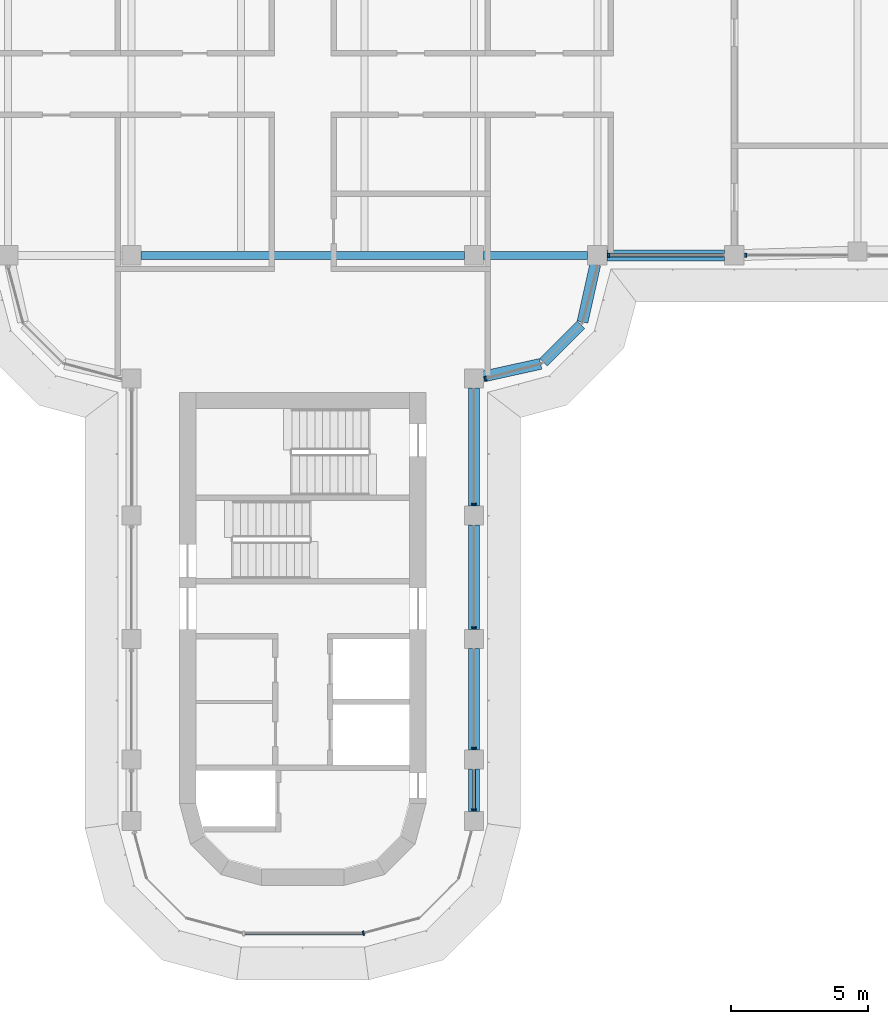
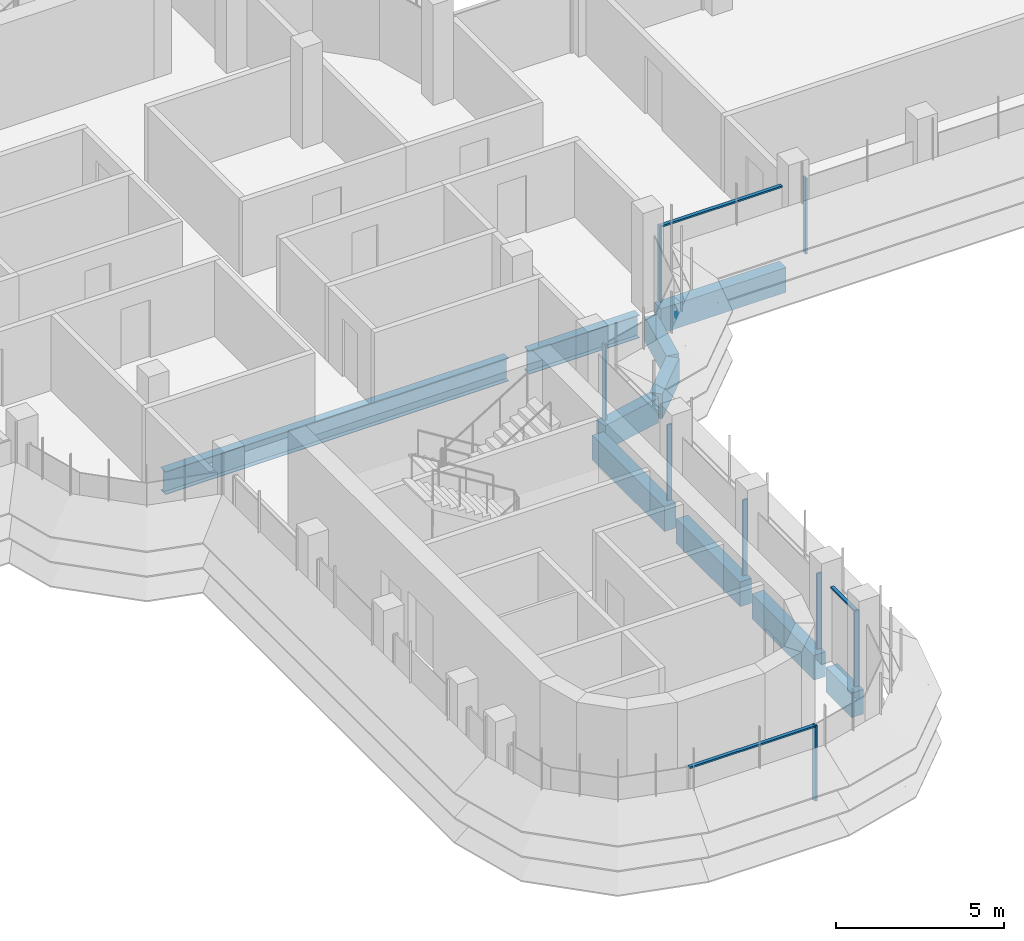
# One storey, part 4 of 19: 11 members, 10 beams, 5 elements without a shape of their own.
"""IFC4 building model written with IfcOpenShell, lengths in metres."""

import ifcopenshell
import ifcopenshell.guid

model = None  # the IFC model being written
_history = None  # IfcOwnerHistory: only IFC2X3 demands one
_inside = {}  # id of a spatial element -> (the spatial element, [elements in it])
_under = {}  # id of a project, library or spatial element -> (it, [spatial elements below it])
_declared = {}  # id of a project -> (the project, [libraries it declares])
_typed = {}  # id of a type object -> (the type object, [elements of that type])
_made_of = {}  # id of a material, layer set ... -> (it, [elements and type objects made of it])


def new_model(schema):
    """Start an empty IFC model of exactly this schema.

    Asked for "IFC4X3", IfcOpenShell would pick the latest addendum, in which some entities
    have other attributes; the version numbers below select the first issue.
    IFC2X3 requires an IfcOwnerHistory on every rooted entity: one is made here for all.
    """
    global model, _history
    if schema == "IFC4X3":
        model = ifcopenshell.file(schema_version=(4, 3, 0, 0))
    else:
        model = ifcopenshell.file(schema=schema)
    _inside.clear()
    _under.clear()
    _declared.clear()
    _typed.clear()
    _made_of.clear()
    _history = None
    if model.schema == "IFC2X3":
        org = make("IfcOrganization", Name="unknown")
        user = make(
            "IfcPersonAndOrganization",
            ThePerson=make("IfcPerson", FamilyName="unknown"),
            TheOrganization=org,
        )
        app = make(
            "IfcApplication",
            ApplicationDeveloper=org,
            Version="unknown",
            ApplicationFullName="unknown",
            ApplicationIdentifier="unknown",
        )
        _history = make(
            "IfcOwnerHistory",
            OwningUser=user,
            OwningApplication=app,
            ChangeAction="ADDED",
            CreationDate=0,
        )
    return model


def make(cls, **values):
    """One entity of the class cls with the attributes given. An attribute that is None is left unset."""
    return model.create_entity(
        cls, **{name: value for name, value in values.items() if value is not None}
    )


def rooted(cls, **values):
    """An entity with a GlobalId (a new one), such as an element, a storey or a relation."""
    return make(cls, GlobalId=ifcopenshell.guid.new(), OwnerHistory=_history, **values)


def si_unit(unit_type, name, prefix=None):
    """IfcSIUnit, for example si_unit("LENGTHUNIT", "METRE", prefix="MILLI")."""
    return make("IfcSIUnit", UnitType=unit_type, Prefix=prefix, Name=name)


def assignment(units):
    """IfcUnitAssignment: the units of a project."""
    return None if units is None else make("IfcUnitAssignment", Units=units)


def point(xyz):
    """IfcCartesianPoint."""
    return None if xyz is None else make("IfcCartesianPoint", Coordinates=xyz)


def direction(xyz):
    """IfcDirection."""
    return None if xyz is None else make("IfcDirection", DirectionRatios=xyz)


def frame(location, z_axis=None, x_axis=None):
    """IfcAxis2Placement3D, a coordinate frame: its origin and axes. An axis left out is left unset."""
    return make(
        "IfcAxis2Placement3D",
        Location=point(location),
        Axis=direction(z_axis),
        RefDirection=direction(x_axis),
    )


def frame_2d(location, x_axis=None):
    """IfcAxis2Placement2D, a coordinate frame in the plane: its origin and x axis."""
    return make(
        "IfcAxis2Placement2D", Location=point(location), RefDirection=direction(x_axis)
    )


def origin():
    """The frame at (0, 0, 0) with its axes left unset."""
    return frame((0.0, 0.0, 0.0))


def origin_2d():
    """The frame at (0, 0) in the plane with its x axis left unset."""
    return frame_2d((0.0, 0.0))


def place(relative_to, where):
    """IfcLocalPlacement: puts the frame where relative to a parent placement (None: the world)."""
    return make(
        "IfcLocalPlacement", PlacementRelTo=relative_to, RelativePlacement=where
    )


def context(
    kind, dimensions, precision=None, world=None, true_north=None, identifier=None
):
    """IfcGeometricRepresentationContext, for example the 3D "Model" context."""
    return make(
        "IfcGeometricRepresentationContext",
        ContextIdentifier=identifier,
        ContextType=kind,
        CoordinateSpaceDimension=dimensions,
        Precision=precision,
        WorldCoordinateSystem=world,
        TrueNorth=true_north,
    )


def subcontext(parent, identifier, kind, view, scale=None):
    """IfcGeometricRepresentationSubContext, for example "Body" below "Model"."""
    return make(
        "IfcGeometricRepresentationSubContext",
        ContextIdentifier=identifier,
        ContextType=kind,
        ParentContext=parent,
        TargetScale=scale,
        TargetView=view,
    )


def project(units=None, contexts=None):
    """IfcProject with its units and contexts."""
    return rooted(
        "IfcProject",
        Name="project",
        RepresentationContexts=contexts,
        UnitsInContext=assignment(units),
    )


def spatial(cls, under=None, at=None, **own):
    """A site, building, storey or space (cls), placed at a placement, below another one or the project."""
    s = rooted(cls, ObjectPlacement=at, **own)
    if under is not None:
        _under.setdefault(under.id(), (under, []))[1].append(s)
    return s


def polyline(points):
    """IfcPolyline through the points."""
    return make("IfcPolyline", Points=[point(p) for p in points])


def profile(cls, at=None, kind="AREA", **sizes):
    """A parametric profile (cls). Its sizes go by their IFC names, for example OverallWidth=200.0."""
    return make(cls, ProfileType=kind, Position=at, **sizes)


def rectangle(**sizes):
    """IfcRectangleProfileDef."""
    return profile("IfcRectangleProfileDef", **sizes)


def i_section(**sizes):
    """IfcIShapeProfileDef."""
    return profile("IfcIShapeProfileDef", **sizes)


def outline(outer, holes=None, kind="AREA"):
    """IfcArbitraryClosedProfileDef: a profile drawn as a closed curve; with holes, ...WithVoids."""
    if holes is None:
        return make("IfcArbitraryClosedProfileDef", ProfileType=kind, OuterCurve=outer)
    return make(
        "IfcArbitraryProfileDefWithVoids",
        ProfileType=kind,
        OuterCurve=outer,
        InnerCurves=holes,
    )


def extrude(swept, where, along, depth):
    """IfcExtrudedAreaSolid: the profile swept, set in the frame where, extruded along a direction by depth."""
    return make(
        "IfcExtrudedAreaSolid",
        SweptArea=swept,
        Position=where,
        ExtrudedDirection=direction(along),
        Depth=depth,
    )


def shape(context_of_items, identifier, shape_type, items):
    """IfcShapeRepresentation: the items that make up one representation, for example the "Body"."""
    return make(
        "IfcShapeRepresentation",
        ContextOfItems=context_of_items,
        RepresentationIdentifier=identifier,
        RepresentationType=shape_type,
        Items=items,
    )


def source(mapping_origin, context_of_items, identifier, shape_type, items):
    """IfcRepresentationMap: a shape defined once, which mapped items show again and again."""
    return make(
        "IfcRepresentationMap",
        MappingOrigin=mapping_origin,
        MappedRepresentation=shape(context_of_items, identifier, shape_type, items),
    )


def transform(
    local_origin,
    x_axis=None,
    y_axis=None,
    z_axis=None,
    scale=None,
    scale2=None,
    scale3=None,
    uniform=True,
):
    """IfcCartesianTransformationOperator3D, or its non-uniform kind. x_axis, y_axis, z_axis: its Axis1, 2, 3."""
    if uniform:
        return make(
            "IfcCartesianTransformationOperator3D",
            Axis1=direction(x_axis),
            Axis2=direction(y_axis),
            LocalOrigin=point(local_origin),
            Scale=scale,
            Axis3=direction(z_axis),
        )
    return make(
        "IfcCartesianTransformationOperator3DnonUniform",
        Axis1=direction(x_axis),
        Axis2=direction(y_axis),
        LocalOrigin=point(local_origin),
        Scale=scale,
        Axis3=direction(z_axis),
        Scale2=scale2,
        Scale3=scale3,
    )


def mapped(mapping_source, mapping_target):
    """IfcMappedItem: shows the shape of a source again, moved by a transform."""
    return make(
        "IfcMappedItem", MappingSource=mapping_source, MappingTarget=mapping_target
    )


def material(Name=None, Category=None):
    """IfcMaterial."""
    return make("IfcMaterial", Name=Name, Category=Category)


def material_profile(
    of_material, cross_section, Name=None, Category=None, Priority=None
):
    """IfcMaterialProfile: a cross section and its material."""
    return make(
        "IfcMaterialProfile",
        Name=Name,
        Material=of_material,
        Profile=cross_section,
        Priority=Priority,
        Category=Category,
    )


def profile_set(profiles, Name=None, composite=None):
    """IfcMaterialProfileSet."""
    return make(
        "IfcMaterialProfileSet",
        Name=Name,
        MaterialProfiles=profiles,
        CompositeProfile=composite,
    )


def made_of(thing, what):
    """Note that an element or type object is made of a material, layer set ...; save() writes the relation."""
    if what is not None:
        _made_of.setdefault(what.id(), (what, []))[1].append(thing)
    return thing


def type_object(cls, material=None, **own):
    """A type object (cls), such as IfcWallType, which elements share."""
    return made_of(rooted(cls, **own), material)


def element(
    cls,
    number,
    at=None,
    inside=None,
    cuts=None,
    type_object=None,
    material=None,
    context=None,
    identifier="Body",
    shape_type=None,
    held_by="IfcProductDefinitionShape",
    body=None,
    shapes=None,
    **own,
):
    """One element of the class cls, such as IfcWall. Its Tag is "e" and its number.

    at: its placement. inside: the storey or other place that contains it. cuts: it is an
    opening in that element (IfcRelVoidsElement). A single representation is given by context,
    identifier, shape_type and body (its items); several are given by shapes. held_by: the class
    of the entity that holds the representations. save() writes the other relations.
    """
    e = rooted(cls, Tag="e%d" % number, ObjectPlacement=at, **own)
    if body is not None:
        shapes = [shape(context, identifier, shape_type, body)]
    if shapes is not None:
        e.Representation = make(held_by, Representations=shapes)
    if inside is not None:
        _inside.setdefault(inside.id(), (inside, []))[1].append(e)
    if cuts is not None:
        rooted(
            "IfcRelVoidsElement", RelatingBuildingElement=cuts, RelatedOpeningElement=e
        )
    if type_object is not None:
        _typed.setdefault(type_object.id(), (type_object, []))[1].append(e)
    return made_of(e, material)


def aggregate(whole, parts):
    """IfcRelAggregates: a whole, such as a stair, and the parts it consists of."""
    return rooted("IfcRelAggregates", RelatingObject=whole, RelatedObjects=parts)


def save(model, path):
    """Write the relations noted so far, then the file.

    IfcRelAggregates (storeys below a building ...), IfcRelContainedInSpatialStructure (elements
    in a storey), IfcRelDefinesByType, IfcRelAssociatesMaterial and IfcRelDeclares: one each for
    every whole, place, type object, material and project.
    """
    for whole, parts in _under.values():
        aggregate(whole, parts)
    for where, things in _inside.values():
        rooted(
            "IfcRelContainedInSpatialStructure",
            RelatedElements=things,
            RelatingStructure=where,
        )
    for kind, things in _typed.values():
        rooted("IfcRelDefinesByType", RelatedObjects=things, RelatingType=kind)
    for what, things in _made_of.values():
        rooted("IfcRelAssociatesMaterial", RelatedObjects=things, RelatingMaterial=what)
    for by, libraries in _declared.values():
        rooted("IfcRelDeclares", RelatingContext=by, RelatedDefinitions=libraries)
    model.write(path)


model = new_model("IFC4")

# Units and contexts
model_context = context("Model", 3, precision=1e-05, world=origin(), true_north=direction((0.0, 1.0)))
body_context = subcontext(model_context, "Body", "Model", "MODEL_VIEW")
ifc_project = project(units=[si_unit("LENGTHUNIT", "METRE"), si_unit("AREAUNIT", "SQUARE_METRE"), si_unit("VOLUMEUNIT", "CUBIC_METRE"), si_unit("PLANEANGLEUNIT", "RADIAN"), si_unit("MASSUNIT", "GRAM", prefix="KILO")], contexts=[model_context])

# Site, building, storey
site_placement = place(None, origin())
site = spatial("IfcSite", under=ifc_project, at=site_placement, CompositionType="ELEMENT")
building_placement = place(site_placement, origin())
building = spatial("IfcBuilding", under=site, at=building_placement, Name="Zarbagh Exchange Tower", CompositionType="ELEMENT")
storey_placement = place(building_placement, frame((0.0, 0.0, 222.0)))
storey = spatial("IfcBuildingStorey", under=building, at=storey_placement, Name="L54", CompositionType="ELEMENT", Elevation=222.0)

# Beams
ifc_material_1 = material(Name="Steel ASTM A992 Gr 50", Category="steel")
ifc_material_profile_1 = material_profile(ifc_material_1, i_section(OverallWidth=0.2919921875, OverallDepth=0.835693359375, WebThickness=0.013916015625, FlangeThickness=0.018798828125, at=origin_2d()), Name="W33X118")
ifc_profile_set_1 = profile_set([ifc_material_profile_1], Name="Steel ASTM A992 Gr 50")
beam_type_1 = type_object("IfcBeamType", Name="Floor girder W33X118", PredefinedType="BEAM", material=ifc_profile_set_1)
beam_1_placement = place(storey_placement, frame((-5.89990234375, -6.25, -0.56787109375), z_axis=(1.0, 0.0, 0.0), x_axis=(0.0, 1.0, 0.0)))
element("IfcBeam", 1, at=beam_1_placement, inside=storey, type_object=beam_type_1, Name="Steel girder", PredefinedType="BEAM", context=body_context, shape_type="SweptSolid", body=[
    extrude(i_section(OverallWidth=0.2919921875, OverallDepth=0.835693359375, WebThickness=0.013916015625, FlangeThickness=0.018798828125, at=origin_2d()), origin(), (0.0, 0.0, 1.0), 11.7998046875),
])
beam_2_placement = place(storey_placement, frame((6.60009765625, -6.25, -0.56787109375), z_axis=(1.0, 0.0, 0.0), x_axis=(0.0, 1.0, 0.0)))
element("IfcBeam", 2, at=beam_2_placement, inside=storey, type_object=beam_type_1, Name="Steel girder", PredefinedType="BEAM", context=body_context, shape_type="SweptSolid", body=[
    extrude(i_section(OverallWidth=0.2919921875, OverallDepth=0.835693359375, WebThickness=0.013916015625, FlangeThickness=0.018798828125, at=origin_2d()), origin(), (0.0, 0.0, 1.0), 3.7998046875),
])
ifc_material_2 = material(Name="Concrete C50/60", Category="concrete")
ifc_material_profile_2 = material_profile(ifc_material_2, rectangle(XDim=0.39990234375, YDim=0.89990234375, at=origin_2d()), Name="RC spandrel beam 400 x 900 C50/60")
ifc_profile_set_2 = profile_set([ifc_material_profile_2], Name="Concrete C50/60")
beam_type_2 = type_object("IfcBeamType", Name="RC spandrel beam 400 x 900 C50/60", PredefinedType="SPANDREL", material=ifc_profile_set_2)
beam_3_placement = place(storey_placement, frame((15.39990234375, -6.25, -0.60009765625), z_axis=(-1.0, 0.0, 0.0), x_axis=(0.0, -1.0, 0.0)))
element("IfcBeam", 3, at=beam_3_placement, inside=storey, type_object=beam_type_2, Name="RC spandrel beam", PredefinedType="SPANDREL", context=body_context, shape_type="SweptSolid", body=[
    extrude(rectangle(XDim=0.39990234375, YDim=0.89990234375, at=origin_2d()), origin(), (0.0, 0.0, 1.0), 4.2998046875),
])
beam_4_placement = place(storey_placement, frame((10.67431640625, -6.591796875, -0.60009765625), z_axis=(-0.216013551096, -0.97639036545, 0.0), x_axis=(0.97639036545, -0.216013551096, 0.0)))
element("IfcBeam", 4, at=beam_4_placement, inside=storey, type_object=beam_type_2, Name="RC spandrel beam", PredefinedType="SPANDREL", context=body_context, shape_type="SweptSolid", body=[
    extrude(rectangle(XDim=0.39990234375, YDim=0.89990234375, at=origin_2d()), origin(), (0.0, 0.0, 1.0), 2.142822265625),
])
beam_5_placement = place(storey_placement, frame((10.15771484375, -8.782470703125, -0.60009765625), z_axis=(-0.707106781187, -0.707106781187, 0.0), x_axis=(0.707106781187, -0.707106781187, 0.0)))
element("IfcBeam", 5, at=beam_5_placement, inside=storey, type_object=beam_type_2, Name="RC spandrel beam", PredefinedType="SPANDREL", context=body_context, shape_type="SweptSolid", body=[
    extrude(rectangle(XDim=0.39990234375, YDim=0.89990234375, at=origin_2d()), origin(), (0.0, 0.0, 1.0), 1.94482421875),
])
beam_6_placement = place(storey_placement, frame((8.68408203125, -10.21142578125, -0.60009765625), z_axis=(-0.97639036545, -0.216013551096, 0.0), x_axis=(0.216013551096, -0.97639036545, 0.0)))
element("IfcBeam", 6, at=beam_6_placement, inside=storey, type_object=beam_type_2, Name="RC spandrel beam", PredefinedType="SPANDREL", context=body_context, shape_type="SweptSolid", body=[
    extrude(rectangle(XDim=0.39990234375, YDim=0.89990234375, at=origin_2d()), origin(), (0.0, 0.0, 1.0), 2.142822265625),
])
beam_7_placement = place(storey_placement, frame((6.25, -11.10009765625, -0.60009765625), z_axis=(0.0, -1.0, 0.0), x_axis=(1.0, 0.0, 0.0)))
element("IfcBeam", 7, at=beam_7_placement, inside=storey, type_object=beam_type_2, Name="RC spandrel beam", PredefinedType="SPANDREL", context=body_context, shape_type="SweptSolid", body=[
    extrude(rectangle(XDim=0.39990234375, YDim=0.89990234375, at=origin_2d()), origin(), (0.0, 0.0, 1.0), 4.2998046875),
])
beam_8_placement = place(storey_placement, frame((6.25, -16.10009765625, -0.60009765625), z_axis=(0.0, -1.0, 0.0), x_axis=(1.0, 0.0, 0.0)))
element("IfcBeam", 8, at=beam_8_placement, inside=storey, type_object=beam_type_2, Name="RC spandrel beam", PredefinedType="SPANDREL", context=body_context, shape_type="SweptSolid", body=[
    extrude(rectangle(XDim=0.39990234375, YDim=0.89990234375, at=origin_2d()), origin(), (0.0, 0.0, 1.0), 3.7998046875),
])
beam_9_placement = place(storey_placement, frame((6.25, -20.60009765625, -0.60009765625), z_axis=(0.0, -1.0, 0.0), x_axis=(1.0, 0.0, 0.0)))
element("IfcBeam", 9, at=beam_9_placement, inside=storey, type_object=beam_type_2, Name="RC spandrel beam", PredefinedType="SPANDREL", context=body_context, shape_type="SweptSolid", body=[
    extrude(rectangle(XDim=0.39990234375, YDim=0.89990234375, at=origin_2d()), origin(), (0.0, 0.0, 1.0), 3.699951171875),
])
beam_10_placement = place(storey_placement, frame((6.25, -25.0, -0.60009765625), z_axis=(0.0, -1.0, 0.0), x_axis=(1.0, 0.0, 0.0)))
element("IfcBeam", 10, at=beam_10_placement, inside=storey, type_object=beam_type_2, Name="RC spandrel beam", PredefinedType="SPANDREL", context=body_context, shape_type="SweptSolid", body=[
    extrude(rectangle(XDim=0.39990234375, YDim=0.89990234375, at=origin_2d()), origin(), (0.0, 0.0, 1.0), 1.550048828125),
])

# Curtain wall, member
ifc_material_3 = material(Name="Anodised aluminium frame and glazing", Category="aluminium")
curtain_wall_type = type_object("IfcCurtainWallType", Name="CWB Ribbon glazing, upper zones", PredefinedType="NOTDEFINED", material=ifc_material_3)
curtain_wall_1_placement = place(storey_placement, origin())
curtain_wall_1 = element("IfcCurtainWall", 11, at=curtain_wall_1_placement, inside=storey, type_object=curtain_wall_type, Name="CWB49 curtain wall", PredefinedType="NOTDEFINED")
ifc_material_4 = material(Name="Anodised aluminium frame", Category="aluminium")
member_type_1 = type_object("IfcMemberType", Name="MUB Mullion, anodised aluminium frame", PredefinedType="MULLION", material=ifc_material_4)
shared_shape_1 = source(origin(), body_context, "Body", "SweptSolid", [
    extrude(outline(polyline([(0.0, -0.080078125), (0.06005859375, -0.080078125), (0.06005859375, 0.080078125), (0.0, 0.080078125), (0.0, -0.080078125)])), origin(), (0.0, 0.0, 1.0), 2.75),
])
placement = place(storey_placement, origin())
member_1 = element("IfcMember", 12, at=placement, type_object=member_type_1, Name="CWB49 mullion 1.1", PredefinedType="MULLION", context=body_context, shape_type="MappedRepresentation", body=[
    mapped(shared_shape_1, transform((2.18408203125, -31.0, 0.0), x_axis=(0.965924289636, 0.258824779902, 0.0), y_axis=(-0.258824779902, 0.965924289636, 0.0), z_axis=(0.0, 0.0, 1.0))),
])
aggregate(curtain_wall_1, [member_1])

# Curtain wall, members
curtain_wall_2_placement = place(storey_placement, origin())
curtain_wall_2 = element("IfcCurtainWall", 13, at=curtain_wall_2_placement, inside=storey, type_object=curtain_wall_type, Name="CWB52 curtain wall", PredefinedType="NOTDEFINED")
member_2 = element("IfcMember", 14, at=placement, type_object=member_type_1, Name="CWB52 mullion 1.1", PredefinedType="MULLION", context=body_context, shape_type="MappedRepresentation", body=[
    mapped(shared_shape_1, transform((6.25, -26.510009765625, 0.0), x_axis=(0.0, 1.0, 0.0), y_axis=(-1.0, 0.0, 0.0), z_axis=(0.0, 0.0, 1.0))),
])
member_3 = element("IfcMember", 15, at=placement, type_object=member_type_1, Name="CWB52 mullion 2.1", PredefinedType="MULLION", context=body_context, shape_type="MappedRepresentation", body=[
    mapped(shared_shape_1, transform((6.25, -24.260009765625, 0.0), x_axis=(0.0, 1.0, 0.0), y_axis=(-1.0, 0.0, 0.0), z_axis=(0.0, 0.0, 1.0))),
])
member_4 = element("IfcMember", 16, at=placement, type_object=member_type_1, Name="CWB52 mullion 3.1", PredefinedType="MULLION", context=body_context, shape_type="MappedRepresentation", body=[
    mapped(shared_shape_1, transform((6.25, -19.85986328125, 0.0), x_axis=(0.0, 1.0, 0.0), y_axis=(-1.0, 0.0, 0.0), z_axis=(0.0, 0.0, 1.0))),
])
member_5 = element("IfcMember", 17, at=placement, type_object=member_type_1, Name="CWB52 mullion 4.1", PredefinedType="MULLION", context=body_context, shape_type="MappedRepresentation", body=[
    mapped(shared_shape_1, transform((6.25, -15.35986328125, 0.0), x_axis=(0.0, 1.0, 0.0), y_axis=(-1.0, 0.0, 0.0), z_axis=(0.0, 0.0, 1.0))),
])

# Curtain wall, member
curtain_wall_3_placement = place(storey_placement, origin())
curtain_wall_3 = element("IfcCurtainWall", 18, at=curtain_wall_3_placement, inside=storey, type_object=curtain_wall_type, Name="CWB05 curtain wall", PredefinedType="NOTDEFINED")
member_6 = element("IfcMember", 19, at=placement, type_object=member_type_1, Name="CWB05 mullion 1.1", PredefinedType="MULLION", context=body_context, shape_type="MappedRepresentation", body=[
    mapped(shared_shape_1, transform((6.64013671875, -10.76171875, 0.0), x_axis=(0.965924289636, 0.258824779902, 0.0), y_axis=(-0.258824779902, 0.965924289636, 0.0), z_axis=(0.0, 0.0, 1.0))),
])
aggregate(curtain_wall_3, [member_6])

# Curtain wall, members
curtain_wall_4_placement = place(storey_placement, origin())
curtain_wall_4 = element("IfcCurtainWall", 20, at=curtain_wall_4_placement, inside=storey, type_object=curtain_wall_type, Name="CWB08 curtain wall", PredefinedType="NOTDEFINED")
member_7 = element("IfcMember", 21, at=placement, type_object=member_type_1, Name="CWB08 mullion 1.1", PredefinedType="MULLION", context=body_context, shape_type="MappedRepresentation", body=[
    mapped(shared_shape_1, transform((11.14013671875, -6.25, 0.0), x_axis=(1.0, 0.0, 0.0), y_axis=(0.0, 1.0, 0.0), z_axis=(0.0, 0.0, 1.0))),
])
member_8 = element("IfcMember", 22, at=placement, type_object=member_type_1, Name="CWB08 mullion 2.1", PredefinedType="MULLION", context=body_context, shape_type="MappedRepresentation", body=[
    mapped(shared_shape_1, transform((16.14013671875, -6.25, 0.0), x_axis=(1.0, 0.0, 0.0), y_axis=(0.0, 1.0, 0.0), z_axis=(0.0, 0.0, 1.0))),
])

# Curtain wall, member
curtain_wall_5_placement = place(storey_placement, origin())
curtain_wall_5 = element("IfcCurtainWall", 23, at=curtain_wall_5_placement, inside=storey, type_object=curtain_wall_type, Name="CWB57 curtain wall", PredefinedType="NOTDEFINED")
member_type_2 = type_object("IfcMemberType", Name="TRB Transom, anodised aluminium frame", PredefinedType="USERDEFINED", material=ifc_material_4)
shared_shape_2 = source(origin(), body_context, "Body", "SweptSolid", [
    extrude(outline(polyline([(-0.06005859375, -0.06005859375), (0.0, -0.06005859375), (0.0, 0.06005859375), (-0.06005859375, 0.06005859375), (-0.06005859375, -0.06005859375)])), origin(), (0.0, 0.0, 1.0), 4.308349609375),
])
member_9 = element("IfcMember", 24, at=placement, type_object=member_type_2, Name="CWB57 transom 1.1", ObjectType="TRANSOM", PredefinedType="USERDEFINED", context=body_context, shape_type="MappedRepresentation", body=[
    mapped(shared_shape_2, transform((-2.124267578125, -31.0, 2.75), x_axis=(0.0, 0.0, 1.0), y_axis=(0.0, -1.0, 0.0), z_axis=(1.0, 0.0, 0.0))),
])
aggregate(curtain_wall_5, [member_9])

# Member
shared_shape_3 = source(origin(), body_context, "Body", "SweptSolid", [
    extrude(outline(polyline([(-0.06005859375, -0.06005859375), (0.0, -0.06005859375), (0.0, 0.06005859375), (-0.06005859375, 0.06005859375), (-0.06005859375, -0.06005859375)])), origin(), (0.0, 0.0, 1.0), 1.409912109375),
])
member_10 = element("IfcMember", 25, at=placement, type_object=member_type_2, Name="CWB52 transom 1.1", ObjectType="TRANSOM", PredefinedType="USERDEFINED", context=body_context, shape_type="MappedRepresentation", body=[
    mapped(shared_shape_3, transform((6.25, -26.449951171875, 2.75), x_axis=(0.0, 0.0, 1.0), y_axis=(1.0, 0.0, 0.0), z_axis=(0.0, 1.0, 0.0))),
])

aggregate(curtain_wall_2, [member_2, member_10, member_3, member_4, member_5])

shared_shape_4 = source(origin(), body_context, "Body", "SweptSolid", [
    extrude(outline(polyline([(-0.06005859375, -0.06005859375), (0.0, -0.06005859375), (0.0, 0.06005859375), (-0.06005859375, 0.06005859375), (-0.06005859375, -0.06005859375)])), origin(), (0.0, 0.0, 1.0), 4.159912109375),
])
member_11 = element("IfcMember", 26, at=placement, type_object=member_type_2, Name="CWB08 transom 1.1", ObjectType="TRANSOM", PredefinedType="USERDEFINED", context=body_context, shape_type="MappedRepresentation", body=[
    mapped(shared_shape_4, transform((11.199951171875, -6.25, 2.75), x_axis=(0.0, 0.0, 1.0), y_axis=(0.0, -1.0, 0.0), z_axis=(1.0, 0.0, 0.0))),
])

aggregate(curtain_wall_4, [member_7, member_11, member_8])

save(model, "model.ifc")
